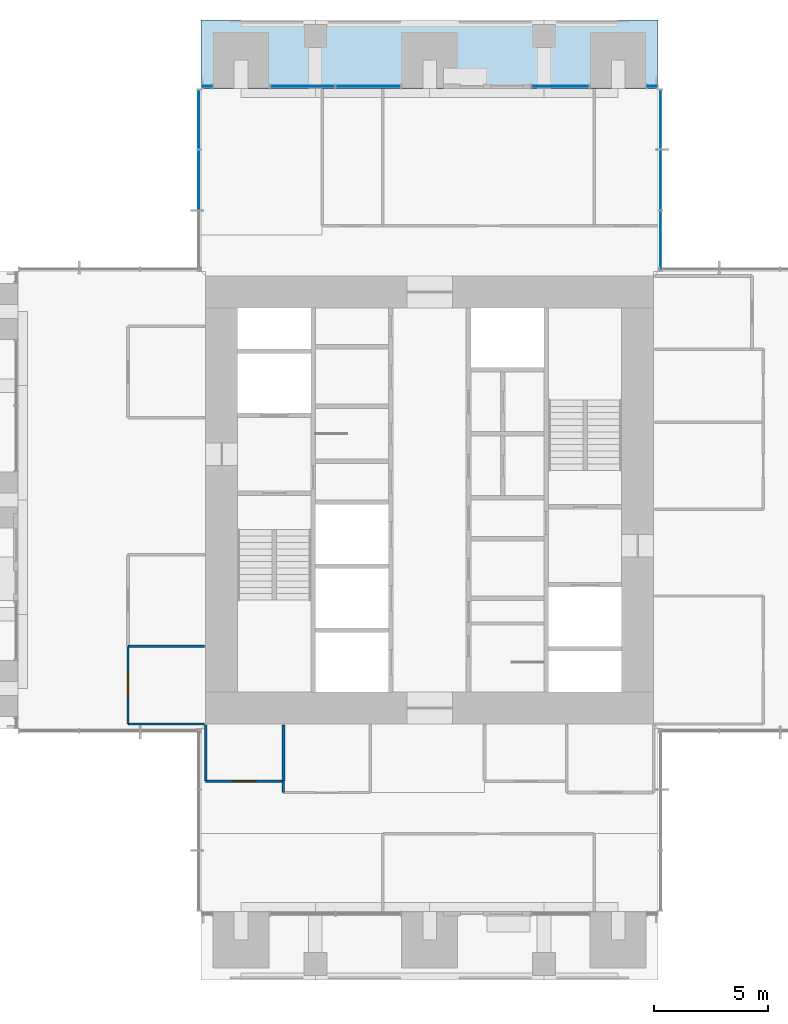
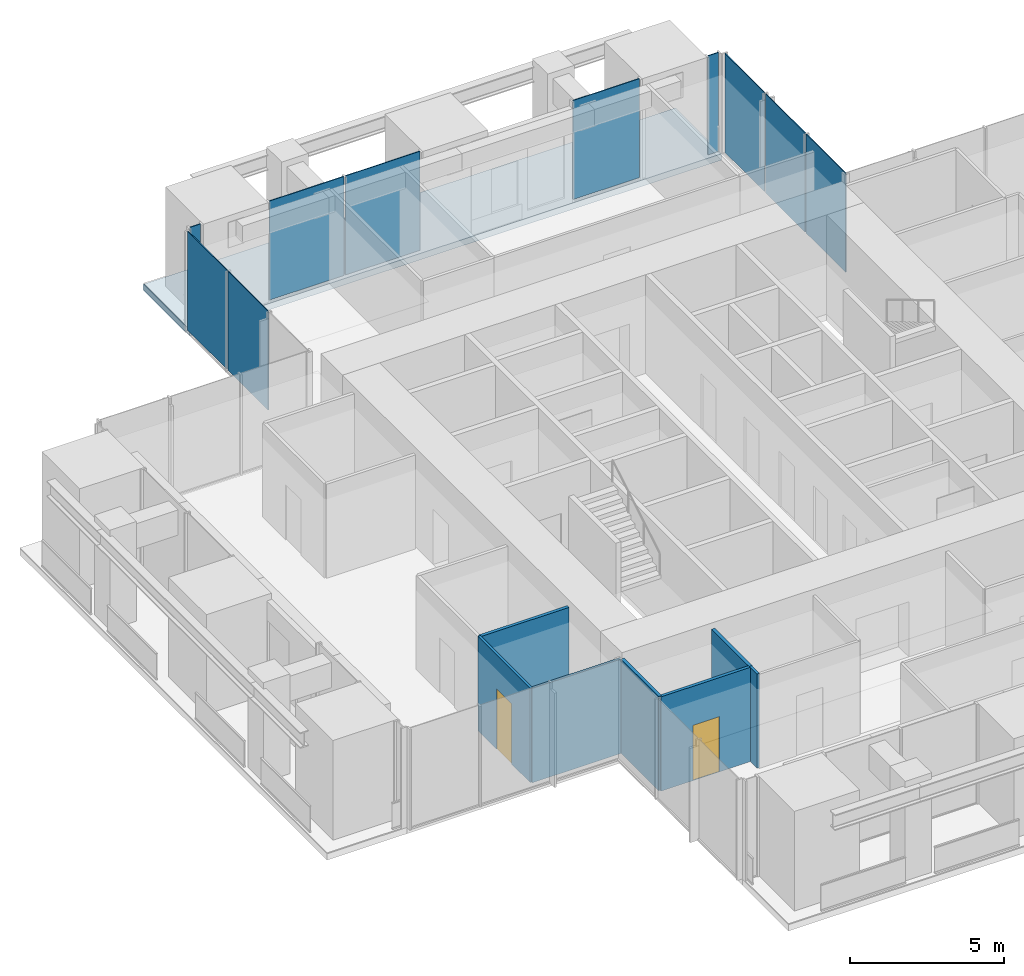
# One storey, part 11 of 17: 10 plates, 7 walls, 2 doors, 1 slab, 2 openings, 6 elements without a shape of their own.
"""IFC4 building model written with IfcOpenShell, lengths in metres."""

from ifc_helpers import new_model, si_unit, direction, frame, frame_2d, origin, origin_2d, place, context, subcontext, project, spatial, polyline, rectangle, outline, extrude, material, layer, layer_set, type_object, element, fill, aggregate, save


model = new_model("IFC4")

# Units and contexts
model_context = context("Model", 3, precision=1e-05, world=origin(), true_north=direction((0.0, 1.0)))
body_context = subcontext(model_context, "Body", "Model", "MODEL_VIEW")
ifc_project = project(units=[si_unit("LENGTHUNIT", "METRE"), si_unit("AREAUNIT", "SQUARE_METRE"), si_unit("VOLUMEUNIT", "CUBIC_METRE"), si_unit("PLANEANGLEUNIT", "RADIAN"), si_unit("MASSUNIT", "GRAM", prefix="KILO")], contexts=[model_context])

# Site, building, storey
site_placement = place(None, origin())
site = spatial("IfcSite", under=ifc_project, at=site_placement, CompositionType="ELEMENT")
building_placement = place(site_placement, origin())
building = spatial("IfcBuilding", under=site, at=building_placement, Name="Svetlomir Tower", CompositionType="ELEMENT")
storey_placement = place(building_placement, frame((0.0, 0.0, 194.5)))
storey = spatial("IfcBuildingStorey", under=building, at=storey_placement, Name="L46", CompositionType="ELEMENT", Elevation=194.5)

# Curtain wall, plates
ifc_material_1 = material(Name="Bronze anodised aluminium curtain wall", Category="aluminium")
curtain_wall_type = type_object("IfcCurtainWallType", Name="CURTAIN WALL CW1 TOWER OFFICE", PredefinedType="NOTDEFINED", material=ifc_material_1)
curtain_wall_1_placement = place(storey_placement, origin())
curtain_wall_1 = element("IfcCurtainWall", 1, at=curtain_wall_1_placement, inside=storey, type_object=curtain_wall_type, Name="Curtain wall CW1 L46", PredefinedType="NOTDEFINED")
ifc_material_2 = material(Name="Tinted double glazed unit", Category="glass")
ifc_layer_1 = layer(ifc_material_2, 0.031982421875)
ifc_layer_set_1 = layer_set([ifc_layer_1], Name="Tinted double glazed unit")
plate_type = type_object("IfcPlateType", Name="CW1 GLAZED PANEL 32", PredefinedType="CURTAIN_PANEL", material=ifc_layer_set_1)
plate_1_placement = place(storey_placement, frame((31.10009765625, 32.349609375, 0.06494140625), z_axis=(0.0, 0.0, 1.0), x_axis=(0.0, 1.0, 0.0)))
plate_1 = element("IfcPlate", 2, at=plate_1_placement, type_object=plate_type, Name="CW1 panel 1.1", PredefinedType="CURTAIN_PANEL", context=body_context, shape_type="SweptSolid", body=[
    extrude(rectangle(XDim=2.569091796875, YDim=0.031982421875, at=origin_2d()), origin(), (0.0, 0.0, 1.0), 3.93505859375),
])
plate_2_placement = place(storey_placement, frame((31.10009765625, 35.0, 0.06494140625), z_axis=(0.0, 0.0, 1.0), x_axis=(0.0, 1.0, 0.0)))
plate_2 = element("IfcPlate", 3, at=plate_2_placement, type_object=plate_type, Name="CW1 panel 2.1", PredefinedType="CURTAIN_PANEL", context=body_context, shape_type="SweptSolid", body=[
    extrude(rectangle(XDim=2.6015625, YDim=0.031982421875, at=origin_2d()), origin(), (0.0, 0.0, 1.0), 3.93505859375),
])
plate_3_placement = place(storey_placement, frame((31.10009765625, 37.650390625, 0.06494140625), z_axis=(0.0, 0.0, 1.0), x_axis=(0.0, 1.0, 0.0)))
plate_3 = element("IfcPlate", 4, at=plate_3_placement, type_object=plate_type, Name="CW1 panel 3.1", PredefinedType="CURTAIN_PANEL", context=body_context, shape_type="SweptSolid", body=[
    extrude(rectangle(XDim=2.569091796875, YDim=0.031982421875, at=origin_2d()), origin(), (0.0, 0.0, 1.0), 3.93505859375),
])
aggregate(curtain_wall_1, [plate_1, plate_2, plate_3])

# Curtain wall, plate
curtain_wall_2_placement = place(storey_placement, origin())
curtain_wall_2 = element("IfcCurtainWall", 5, at=curtain_wall_2_placement, inside=storey, type_object=curtain_wall_type, Name="Curtain wall CW1 L46", PredefinedType="NOTDEFINED")
plate_4_placement = place(storey_placement, frame((30.737548828125, 39.10009765625, 0.06494140625), z_axis=(0.0, 0.0, 1.0), x_axis=(-1.0, 0.0, 0.0)))
plate_4 = element("IfcPlate", 6, at=plate_4_placement, type_object=plate_type, Name="CW1 panel 1.1", PredefinedType="CURTAIN_PANEL", context=body_context, shape_type="SweptSolid", body=[
    extrude(rectangle(XDim=0.39501953125, YDim=0.031982421875, at=origin_2d()), origin(), (0.0, 0.0, 1.0), 3.93505859375),
])
aggregate(curtain_wall_2, [plate_4])

curtain_wall_3_placement = place(storey_placement, origin())
curtain_wall_3 = element("IfcCurtainWall", 7, at=curtain_wall_3_placement, inside=storey, type_object=curtain_wall_type, Name="Curtain wall CW1 L46", PredefinedType="NOTDEFINED")
plate_5_placement = place(storey_placement, frame((26.71240234375, 39.10009765625, 0.06494140625), z_axis=(0.0, 0.0, 1.0), x_axis=(-1.0, 0.0, 0.0)))
plate_5 = element("IfcPlate", 8, at=plate_5_placement, type_object=plate_type, Name="CW1 panel 1.1", PredefinedType="CURTAIN_PANEL", context=body_context, shape_type="SweptSolid", body=[
    extrude(rectangle(XDim=2.4951171875, YDim=0.031982421875, at=origin_2d()), origin(), (0.0, 0.0, 1.0), 3.93505859375),
])
aggregate(curtain_wall_3, [plate_5])

# Curtain wall, plates
curtain_wall_4_placement = place(storey_placement, origin())
curtain_wall_4 = element("IfcCurtainWall", 9, at=curtain_wall_4_placement, inside=storey, type_object=curtain_wall_type, Name="Curtain wall CW1 L46", PredefinedType="NOTDEFINED")
plate_6_placement = place(storey_placement, frame((18.308837890625, 39.10009765625, 0.06494140625), z_axis=(0.0, 0.0, 1.0), x_axis=(-1.0, 0.0, 0.0)))
plate_6 = element("IfcPlate", 10, at=plate_6_placement, type_object=plate_type, Name="CW1 panel 1.1", PredefinedType="CURTAIN_PANEL", context=body_context, shape_type="SweptSolid", body=[
    extrude(rectangle(XDim=2.802490234375, YDim=0.031982421875, at=origin_2d()), origin(), (0.0, 0.0, 1.0), 3.93505859375),
])
plate_7_placement = place(storey_placement, frame((15.441162109375, 39.10009765625, 0.06494140625), z_axis=(0.0, 0.0, 1.0), x_axis=(-1.0, 0.0, 0.0)))
plate_7 = element("IfcPlate", 11, at=plate_7_placement, type_object=plate_type, Name="CW1 panel 2.1", PredefinedType="CURTAIN_PANEL", context=body_context, shape_type="SweptSolid", body=[
    extrude(rectangle(XDim=2.802490234375, YDim=0.031982421875, at=origin_2d()), origin(), (0.0, 0.0, 1.0), 3.93505859375),
])
aggregate(curtain_wall_4, [plate_6, plate_7])

# Curtain wall, plate
curtain_wall_5_placement = place(storey_placement, origin())
curtain_wall_5 = element("IfcCurtainWall", 12, at=curtain_wall_5_placement, inside=storey, type_object=curtain_wall_type, Name="Curtain wall CW1 L46", PredefinedType="NOTDEFINED")
plate_8_placement = place(storey_placement, frame((11.262451171875, 39.10009765625, 0.06494140625), z_axis=(0.0, 0.0, 1.0), x_axis=(-1.0, 0.0, 0.0)))
plate_8 = element("IfcPlate", 13, at=plate_8_placement, type_object=plate_type, Name="CW1 panel 1.1", PredefinedType="CURTAIN_PANEL", context=body_context, shape_type="SweptSolid", body=[
    extrude(rectangle(XDim=0.39501953125, YDim=0.031982421875, at=origin_2d()), origin(), (0.0, 0.0, 1.0), 3.93505859375),
])
aggregate(curtain_wall_5, [plate_8])

# Curtain wall, plates
curtain_wall_6_placement = place(storey_placement, origin())
curtain_wall_6 = element("IfcCurtainWall", 14, at=curtain_wall_6_placement, inside=storey, type_object=curtain_wall_type, Name="Curtain wall CW1 L46", PredefinedType="NOTDEFINED")
plate_9_placement = place(storey_placement, frame((10.89990234375, 37.650390625, 0.06494140625), z_axis=(0.0, 0.0, 1.0), x_axis=(0.0, -1.0, 0.0)))
plate_9 = element("IfcPlate", 15, at=plate_9_placement, type_object=plate_type, Name="CW1 panel 1.1", PredefinedType="CURTAIN_PANEL", context=body_context, shape_type="SweptSolid", body=[
    extrude(rectangle(XDim=2.569091796875, YDim=0.031982421875, at=origin_2d()), origin(), (0.0, 0.0, 1.0), 3.93505859375),
])
plate_10_placement = place(storey_placement, frame((10.89990234375, 35.0, 0.06494140625), z_axis=(0.0, 0.0, 1.0), x_axis=(0.0, -1.0, 0.0)))
plate_10 = element("IfcPlate", 16, at=plate_10_placement, type_object=plate_type, Name="CW1 panel 2.1", PredefinedType="CURTAIN_PANEL", context=body_context, shape_type="SweptSolid", body=[
    extrude(rectangle(XDim=2.6015625, YDim=0.031982421875, at=origin_2d()), origin(), (0.0, 0.0, 1.0), 3.93505859375),
])
aggregate(curtain_wall_6, [plate_9, plate_10])

# Slab
ifc_material_3 = material(Name="Concrete C60/75", Category="concrete")
ifc_layer_2 = layer(ifc_material_3, 0.25)
ifc_layer_set_2 = layer_set([ifc_layer_2], Name="Concrete C60/75")
slab_type = type_object("IfcSlabType", Name="PLANTED LOGGIA SLAB 250", PredefinedType="FLOOR", material=ifc_layer_set_2)
slab_placement = place(storey_placement, frame((0.0, 0.0, -0.25)))
element("IfcSlab", 17, at=slab_placement, inside=storey, type_object=slab_type, Name="L46 N planted loggia", PredefinedType="FLOOR", context=body_context, shape_type="SweptSolid", body=[
    extrude(outline(polyline([(11.0, 39.0), (31.0, 39.0), (31.0, 42.0), (11.0, 42.0), (11.0, 39.0)])), origin(), (0.0, 0.0, 1.0), 0.25),
])

# Wall, opening, door
ifc_material_4 = material(Name="Framed laminated glass partition", Category="glass")
ifc_layer_3 = layer(ifc_material_4, 0.10009765625)
ifc_layer_set_3 = layer_set([ifc_layer_3], Name="Framed laminated glass partition")
wall_type_1 = type_object("IfcWallType", Name="GLAZED PARTITION 100", PredefinedType="PARTITIONING", material=ifc_layer_set_3)
wall_1_placement = place(storey_placement, frame((7.800048828125, 11.199951171875, 0.0), z_axis=(0.0, 0.0, 1.0), x_axis=(0.0, 1.0, 0.0)))
wall_1 = element("IfcWall", 18, at=wall_1_placement, inside=storey, type_object=wall_type_1, Name="Glazed partition L46", PredefinedType="PARTITIONING", context=body_context, shape_type="SweptSolid", body=[
    extrude(rectangle(XDim=3.400146484375, YDim=0.10009765625, at=frame_2d((1.7001953125, 0.0))), origin(), (0.0, 0.0, 1.0), 3.75),
])
opening_1_placement = place(wall_1_placement, frame((1.199951171875, 0.0, 0.0)))
opening_1 = element("IfcOpeningElement", 19, at=opening_1_placement, cuts=wall_1, Name="Opening DG", PredefinedType="OPENING", context=body_context, shape_type="SweptSolid", body=[
    extrude(rectangle(XDim=1.0, YDim=2.39990234375, at=frame_2d((0.5, 1.199951171875))), frame((0.0, 0.06005859375, 0.0), z_axis=(0.0, -1.0, 0.0), x_axis=(1.0, 0.0, 0.0)), (0.0, 0.0, 1.0), 0.1201171875),
])
ifc_material_5 = material(Name="Framed laminated glass door", Category="glass")
door_type_1 = type_object("IfcDoorType", Name="GLAZED DOOR DG 1000x2400", OperationType="SINGLE_SWING_LEFT", PredefinedType="DOOR", material=ifc_material_5)
door_1_placement = place(opening_1_placement, origin())
door_1 = element("IfcDoor", 20, at=door_1_placement, inside=storey, type_object=door_type_1, Name="Phone room door L46", OperationType="SINGLE_SWING_LEFT", OverallHeight=2.39990234375, OverallWidth=1.0, PredefinedType="DOOR", context=body_context, shape_type="SweptSolid", body=[
    extrude(rectangle(XDim=1.0, YDim=2.39990234375, at=frame_2d((0.5, 1.199951171875))), frame((0.0, 0.02490234375, 0.0), z_axis=(0.0, -1.0, 0.0), x_axis=(1.0, 0.0, 0.0)), (0.0, 0.0, 1.0), 0.050048828125),
])
fill(opening_1, door_1)

# Walls
wall_2_placement = place(storey_placement, frame((7.800048828125, 11.199951171875, 0.0), z_axis=(0.0, 0.0, 1.0), x_axis=(1.0, 0.0, 0.0)))
element("IfcWall", 21, at=wall_2_placement, inside=storey, type_object=wall_type_1, Name="Glazed partition L46", PredefinedType="PARTITIONING", context=body_context, shape_type="SweptSolid", body=[
    extrude(rectangle(XDim=3.349853515625, YDim=0.10009765625, at=frame_2d((1.6748046875, 0.0))), origin(), (0.0, 0.0, 1.0), 3.75),
])
wall_3_placement = place(storey_placement, frame((14.60009765625, 8.199951171875, 0.0), z_axis=(0.0, 0.0, 1.0), x_axis=(0.0, 1.0, 0.0)))
element("IfcWall", 22, at=wall_3_placement, inside=storey, type_object=wall_type_1, Name="Glazed partition L46", PredefinedType="PARTITIONING", context=body_context, shape_type="SweptSolid", body=[
    extrude(rectangle(XDim=0.5, YDim=0.10009765625, at=frame_2d((0.25, 0.0))), origin(), (0.0, 0.0, 1.0), 3.75),
])
ifc_material_6 = material(Name="Gypsum board on steel studs", Category="steel")
ifc_layer_4 = layer(ifc_material_6, 0.1201171875)
ifc_layer_set_4 = layer_set([ifc_layer_4], Name="Gypsum board on steel studs")
wall_type_2 = type_object("IfcWallType", Name="PARTITION 120", PredefinedType="PARTITIONING", material=ifc_layer_set_4)
wall_4_placement = place(storey_placement, frame((7.800048828125, 14.60009765625, 0.0), z_axis=(0.0, 0.0, 1.0), x_axis=(1.0, 0.0, 0.0)))
element("IfcWall", 23, at=wall_4_placement, inside=storey, type_object=wall_type_2, Name="Partition L46", PredefinedType="PARTITIONING", context=body_context, shape_type="SweptSolid", body=[
    extrude(rectangle(XDim=3.349853515625, YDim=0.1201171875, at=frame_2d((1.6748046875, 0.0))), origin(), (0.0, 0.0, 1.0), 3.75),
])
wall_5_placement = place(storey_placement, frame((11.199951171875, 8.699951171875, 0.0), z_axis=(0.0, 0.0, 1.0), x_axis=(0.0, 1.0, 0.0)))
element("IfcWall", 24, at=wall_5_placement, inside=storey, type_object=wall_type_2, Name="Partition L46", PredefinedType="PARTITIONING", context=body_context, shape_type="SweptSolid", body=[
    extrude(rectangle(XDim=2.449951171875, YDim=0.1201171875, at=frame_2d((1.22509765625, 0.0))), origin(), (0.0, 0.0, 1.0), 3.75),
])

# Wall, opening, door
wall_6_placement = place(storey_placement, frame((11.199951171875, 8.699951171875, 0.0), z_axis=(0.0, 0.0, 1.0), x_axis=(1.0, 0.0, 0.0)))
wall_6 = element("IfcWall", 25, at=wall_6_placement, inside=storey, type_object=wall_type_2, Name="Partition L46", PredefinedType="PARTITIONING", context=body_context, shape_type="SweptSolid", body=[
    extrude(rectangle(XDim=3.400146484375, YDim=0.1201171875, at=frame_2d((1.7001953125, 0.0))), origin(), (0.0, 0.0, 1.0), 3.75),
])
opening_2_placement = place(wall_6_placement, frame((1.199951171875, 0.0, 0.0)))
opening_2 = element("IfcOpeningElement", 26, at=opening_2_placement, cuts=wall_6, Name="Opening DR", PredefinedType="OPENING", context=body_context, shape_type="SweptSolid", body=[
    extrude(rectangle(XDim=1.0, YDim=2.199951171875, at=frame_2d((0.5, 1.10009765625))), frame((0.0, 0.070068359375, 0.0), z_axis=(0.0, -1.0, 0.0), x_axis=(1.0, 0.0, 0.0)), (0.0, 0.0, 1.0), 0.14013671875),
])
ifc_material_7 = material(Name="Timber door, glazed side light", Category="wood")
door_type_2 = type_object("IfcDoorType", Name="DOOR DR 1000x2200", OperationType="SINGLE_SWING_LEFT", PredefinedType="DOOR", material=ifc_material_7)
door_2_placement = place(opening_2_placement, origin())
door_2 = element("IfcDoor", 27, at=door_2_placement, inside=storey, type_object=door_type_2, Name="Print and copy room door L46", OperationType="SINGLE_SWING_LEFT", OverallHeight=2.199951171875, OverallWidth=1.0, PredefinedType="DOOR", context=body_context, shape_type="SweptSolid", body=[
    extrude(rectangle(XDim=1.0, YDim=2.199951171875, at=frame_2d((0.5, 1.10009765625))), frame((0.0, 0.02490234375, 0.0), z_axis=(0.0, -1.0, 0.0), x_axis=(1.0, 0.0, 0.0)), (0.0, 0.0, 1.0), 0.050048828125),
])
fill(opening_2, door_2)

# Wall
wall_7_placement = place(storey_placement, frame((14.60009765625, 8.699951171875, 0.0), z_axis=(0.0, 0.0, 1.0), x_axis=(0.0, 1.0, 0.0)))
element("IfcWall", 28, at=wall_7_placement, inside=storey, type_object=wall_type_2, Name="Partition L46", PredefinedType="PARTITIONING", context=body_context, shape_type="SweptSolid", body=[
    extrude(rectangle(XDim=2.449951171875, YDim=0.1201171875, at=frame_2d((1.22509765625, 0.0))), origin(), (0.0, 0.0, 1.0), 3.75),
])

save(model, "model.ifc")
